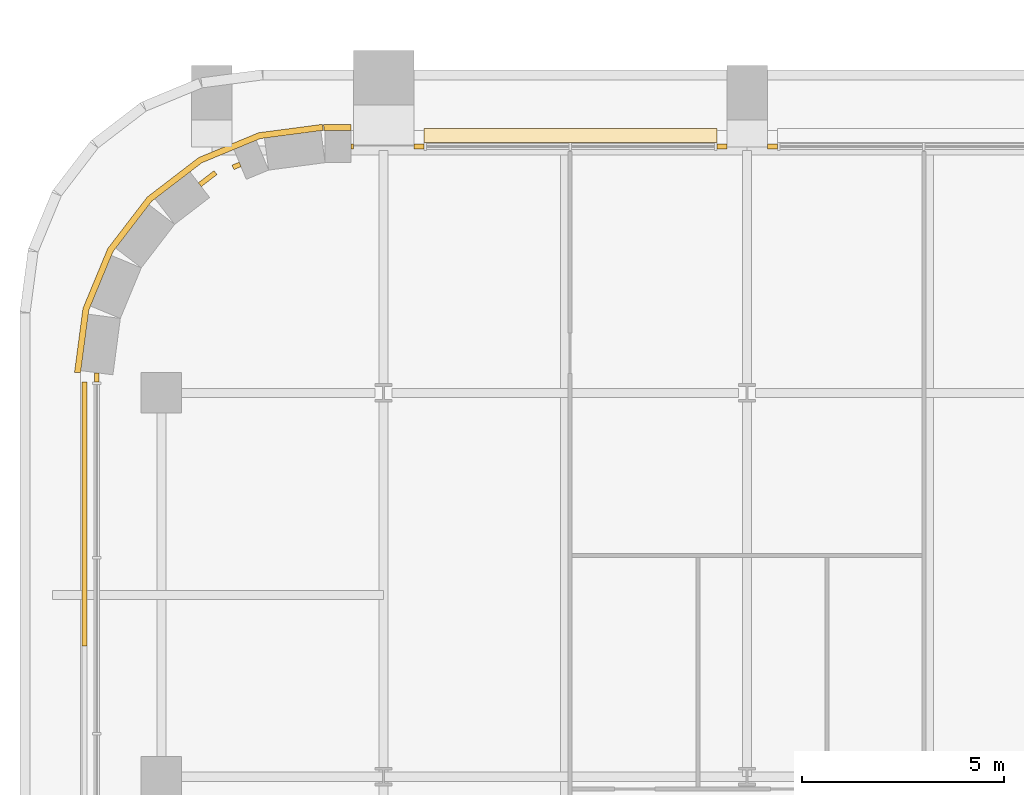
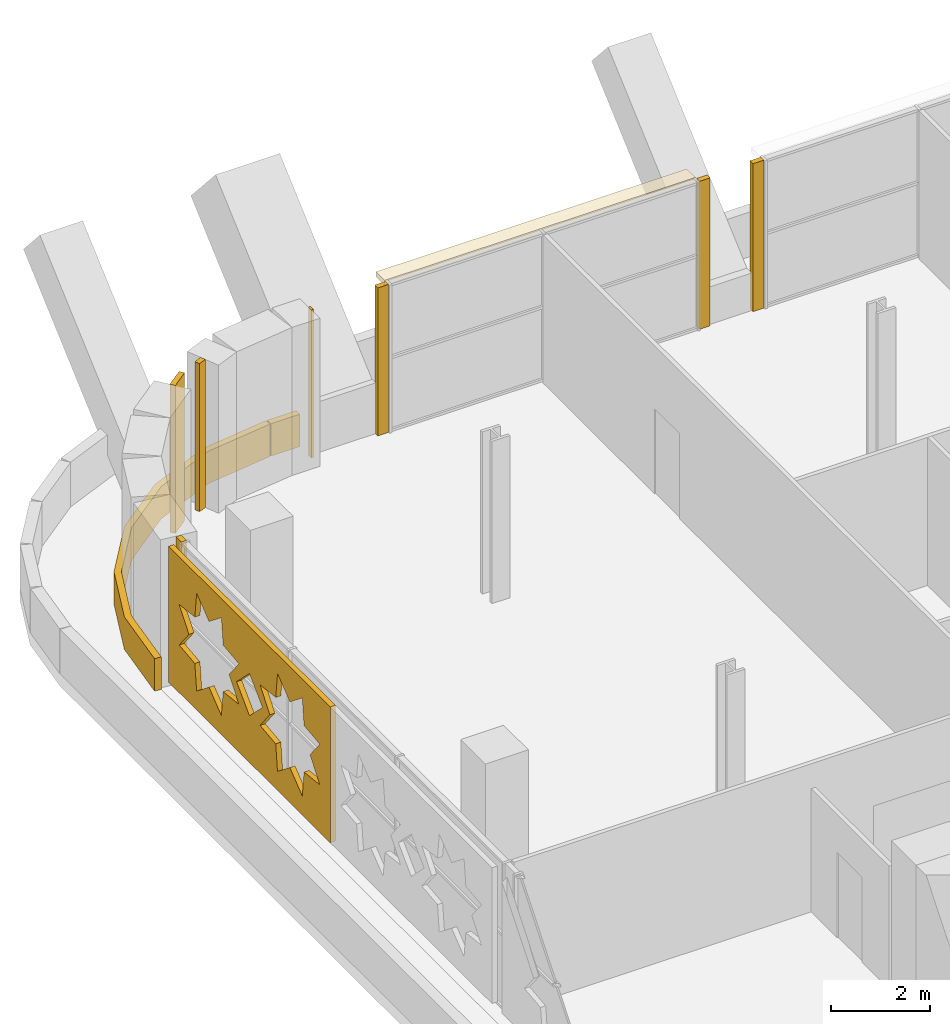
# One storey, part 22 of 26: 11 coverings.
"""IFC4 building model written with IfcOpenShell, lengths in metres."""

from ifc_helpers import new_model, si_unit, direction, frame, origin, origin_2d, place, context, subcontext, project, spatial, polyline, rectangle, outline, extrude, material, layer, layer_set, type_object, element, save


model = new_model("IFC4")

# Units and contexts
model_context = context("Model", 3, precision=1e-05, world=origin(), true_north=direction((0.0, 1.0)))
body_context = subcontext(model_context, "Body", "Model", "MODEL_VIEW")
ifc_project = project(units=[si_unit("LENGTHUNIT", "METRE"), si_unit("AREAUNIT", "SQUARE_METRE"), si_unit("VOLUMEUNIT", "CUBIC_METRE"), si_unit("PLANEANGLEUNIT", "RADIAN"), si_unit("MASSUNIT", "GRAM", prefix="KILO")], contexts=[model_context])

# Site, building, storey
site_placement = place(None, origin())
site = spatial("IfcSite", under=ifc_project, at=site_placement, CompositionType="ELEMENT")
building_placement = place(site_placement, origin())
building = spatial("IfcBuilding", under=site, at=building_placement, Name="Zellij Exchange Tower", CompositionType="ELEMENT")
storey_placement = place(building_placement, frame((0.0, 0.0, 156.5)))
storey = spatial("IfcBuildingStorey", under=building, at=storey_placement, Name="L35", CompositionType="ELEMENT", Elevation=156.5)

# Coverings
ifc_material_1 = material(Name="Limestone cladding", Category="masonry")
ifc_layer_1 = layer(ifc_material_1, 0.14990234375)
ifc_layer_set_1 = layer_set([ifc_layer_1], Name="Limestone cladding")
covering_type_1 = type_object("IfcCoveringType", Name="ENV-CV1 Stone spandrel band 150", PredefinedType="CLADDING", material=ifc_layer_set_1)
covering_1_placement = place(storey_placement, origin())
element("IfcCovering", 1, at=covering_1_placement, inside=storey, type_object=covering_type_1, Name="Stone spandrel band", PredefinedType="CLADDING", context=body_context, shape_type="SweptSolid", body=[
    extrude(outline(polyline([(-27.800048828125, 20.5), (-28.473876953125, 20.5), (-28.483642578125, 20.64990234375), (-27.800048828125, 20.64990234375), (-27.800048828125, 20.5)])), origin(), (0.0, 0.0, 1.0), 0.800048828125),
])
covering_2_placement = place(storey_placement, origin())
element("IfcCovering", 2, at=covering_2_placement, inside=storey, type_object=covering_type_1, Name="Stone spandrel band", PredefinedType="CLADDING", context=body_context, shape_type="SweptSolid", body=[
    extrude(outline(polyline([(-28.5, 20.5), (-30.052978515625, 20.295654296875), (-31.5, 19.6962890625), (-32.74267578125, 18.74267578125), (-33.6962890625, 17.5), (-34.295654296875, 16.052978515625), (-34.5, 14.5), (-34.64990234375, 14.509765625), (-34.441650390625, 16.092041015625), (-33.8271484375, 17.57568359375), (-32.849609375, 18.849609375), (-31.57568359375, 19.8271484375), (-30.092041015625, 20.441650390625), (-28.509765625, 20.64990234375), (-28.5, 20.5)])), origin(), (0.0, 0.0, 1.0), 0.800048828125),
])
ifc_layer_2 = layer(ifc_material_1, 0.1201171875)
ifc_layer_set_2 = layer_set([ifc_layer_2], Name="Limestone cladding")
covering_type_2 = type_object("IfcCoveringType", Name="ENV-CV18 Glazing closer 120", PredefinedType="CLADDING", material=ifc_layer_set_2)
covering_3_placement = place(storey_placement, frame((-31.3544921875, 19.3037109375, 0.0), z_axis=(0.0, 0.0, 1.0), x_axis=(0.793316151692, 0.608809891071, 0.0)))
element("IfcCovering", 3, at=covering_3_placement, inside=storey, type_object=covering_type_2, Name="Glazing closer", PredefinedType="CLADDING", context=body_context, shape_type="SweptSolid", body=[
    extrude(rectangle(XDim=0.488525390625, YDim=0.1201171875, at=origin_2d()), origin(), (0.0, 0.0, 1.0), 3.64990234375),
])
for number, where, z_axis, x_axis, name in (
    (4, (-17.375, 20.10009765625, 0.0), (0.0, 0.0, 1.0), (-1.0, 0.0, 0.0), "Glazing closer"),
    (5, (-18.625, 20.10009765625, 0.0), (0.0, 0.0, 1.0), (1.0, 0.0, 0.0), "Glazing closer"),
    (6, (-26.125, 20.10009765625, 0.0), (0.0, 0.0, 1.0), (-1.0, 0.0, 0.0), "Glazing closer"),
):
    element("IfcCovering", number, at=place(storey_placement, frame(where, z_axis=z_axis, x_axis=x_axis)), inside=storey, type_object=covering_type_2, Name=name, PredefinedType="CLADDING", context=body_context, shape_type="SweptSolid", body=[
        extrude(rectangle(XDim=0.25, YDim=0.1201171875, at=origin_2d()), origin(), (0.0, 0.0, 1.0), 3.64990234375),
    ])
covering_4_placement = place(storey_placement, frame((-34.10009765625, 14.383056640625, 0.0), z_axis=(0.0, 0.0, 1.0), x_axis=(0.0, 1.0, 0.0)))
element("IfcCovering", 7, at=covering_4_placement, inside=storey, type_object=covering_type_2, Name="Glazing closer", PredefinedType="CLADDING", context=body_context, shape_type="SweptSolid", body=[
    extrude(rectangle(XDim=0.218505859375, YDim=0.1201171875, at=origin_2d()), origin(), (0.0, 0.0, 1.0), 3.64990234375),
])
covering_5_placement = place(storey_placement, frame((-30.638916015625, 19.619873046875, 0.0), z_axis=(0.0, 0.0, 1.0), x_axis=(-0.923881536224, -0.382678594938, 0.0)))
element("IfcCovering", 8, at=covering_5_placement, inside=storey, type_object=covering_type_2, Name="Glazing closer", PredefinedType="CLADDING", context=body_context, shape_type="SweptSolid", body=[
    extrude(rectangle(XDim=0.19091796875, YDim=0.1201171875, at=origin_2d()), origin(), (0.0, 0.0, 1.0), 3.64990234375),
])
covering_6_placement = place(storey_placement, frame((-27.77490234375, 20.10009765625, 0.0), z_axis=(0.0, 0.0, 1.0), x_axis=(1.0, 0.0, 0.0)))
element("IfcCovering", 9, at=covering_6_placement, inside=storey, type_object=covering_type_2, Name="Glazing closer", PredefinedType="CLADDING", context=body_context, shape_type="SweptSolid", body=[
    extrude(rectangle(XDim=0.050048828125, YDim=0.1201171875, at=origin_2d()), origin(), (0.0, 0.0, 1.0), 3.64990234375),
])
ifc_material_2 = material(Name="Limestone screen", Category="masonry")
ifc_layer_3 = layer(ifc_material_2, 0.1201171875)
ifc_layer_set_3 = layer_set([ifc_layer_3], Name="Limestone screen")
covering_type_3 = type_object("IfcCoveringType", Name="ENV-SC1 Pierced stone screen 120", PredefinedType="USERDEFINED", material=ifc_layer_set_3)
covering_7_placement = place(storey_placement, frame((-34.39990234375, 14.273681640625, 0.300048828125), z_axis=(0.0, 0.0, 1.0), x_axis=(0.0, -1.0, 0.0)))
element("IfcCovering", 10, at=covering_7_placement, inside=storey, type_object=covering_type_3, Name="Pierced stone screen", ObjectType="SCREEN", PredefinedType="USERDEFINED", context=body_context, shape_type="SweptSolid", body=[
    extrude(outline(polyline([(0.0, 0.0), (6.5341796875, 0.0), (6.5341796875, 3.35009765625), (0.0, 3.35009765625), (0.0, 0.0)]), holes=[polyline([(2.8408203125, 2.175048828125), (2.20654296875, 2.247802734375), (2.1337890625, 2.88232421875), (1.633544921875, 2.485107421875), (1.133544921875, 2.88232421875), (1.060546875, 2.247802734375), (0.42626953125, 2.175048828125), (0.8232421875, 1.675048828125), (0.42626953125, 1.1748046875), (1.060546875, 1.10205078125), (1.133544921875, 0.467529296875), (1.633544921875, 0.86474609375), (2.1337890625, 0.467529296875), (2.20654296875, 1.10205078125), (2.8408203125, 1.1748046875), (2.44384765625, 1.675048828125), (2.8408203125, 2.175048828125)]), polyline([(6.108154296875, 2.175048828125), (5.4736328125, 2.247802734375), (5.40087890625, 2.88232421875), (4.900634765625, 2.485107421875), (4.400634765625, 2.88232421875), (4.327880859375, 2.247802734375), (3.693359375, 2.175048828125), (4.09033203125, 1.675048828125), (3.693359375, 1.1748046875), (4.327880859375, 1.10205078125), (4.400634765625, 0.467529296875), (4.900634765625, 0.86474609375), (5.40087890625, 0.467529296875), (5.4736328125, 1.10205078125), (6.108154296875, 1.1748046875), (5.7109375, 1.675048828125), (6.108154296875, 2.175048828125)]), polyline([(3.789794921875, 1.675048828125), (3.26708984375, 2.19775390625), (2.744384765625, 1.675048828125), (3.26708984375, 1.15234375), (3.789794921875, 1.675048828125)])]), frame((0.0, 0.06005859375, 0.0), z_axis=(0.0, -1.0, 0.0), x_axis=(1.0, 0.0, 0.0)), (0.0, 0.0, 1.0), 0.1201171875),
])
ifc_material_3 = material(Name="Limestone sunshade", Category="masonry")
ifc_layer_4 = layer(ifc_material_3, 0.1201171875)
ifc_layer_set_4 = layer_set([ifc_layer_4], Name="Limestone sunshade")
covering_type_4 = type_object("IfcCoveringType", Name="ENV-SC2 Stone sunshade 120", PredefinedType="USERDEFINED", material=ifc_layer_set_4)
covering_8_placement = place(storey_placement, frame((0.0, 0.0, 3.530029296875)))
element("IfcCovering", 11, at=covering_8_placement, inside=storey, type_object=covering_type_4, Name="Stone sunshade", ObjectType="SUNSHADE", PredefinedType="USERDEFINED", context=body_context, shape_type="SweptSolid", body=[
    extrude(outline(polyline([(-18.75, 20.199951171875), (-26.0, 20.199951171875), (-26.0, 20.550048828125), (-18.75, 20.550048828125), (-18.75, 20.199951171875)])), origin(), (0.0, 0.0, 1.0), 0.119873046875),
])

save(model, "model.ifc")
